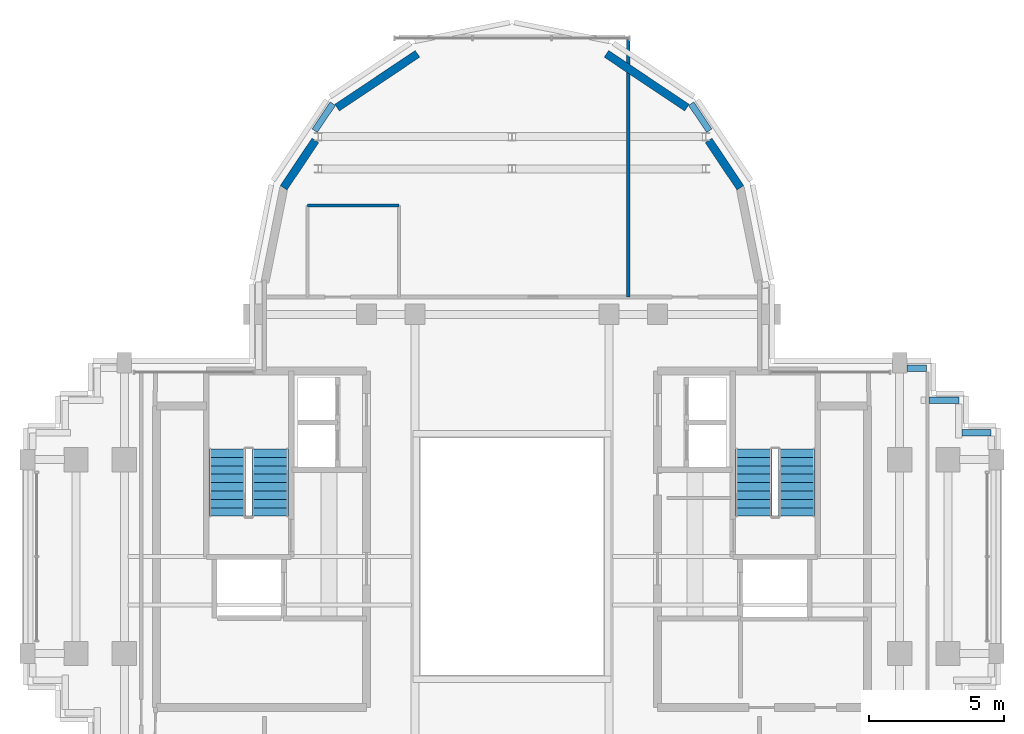
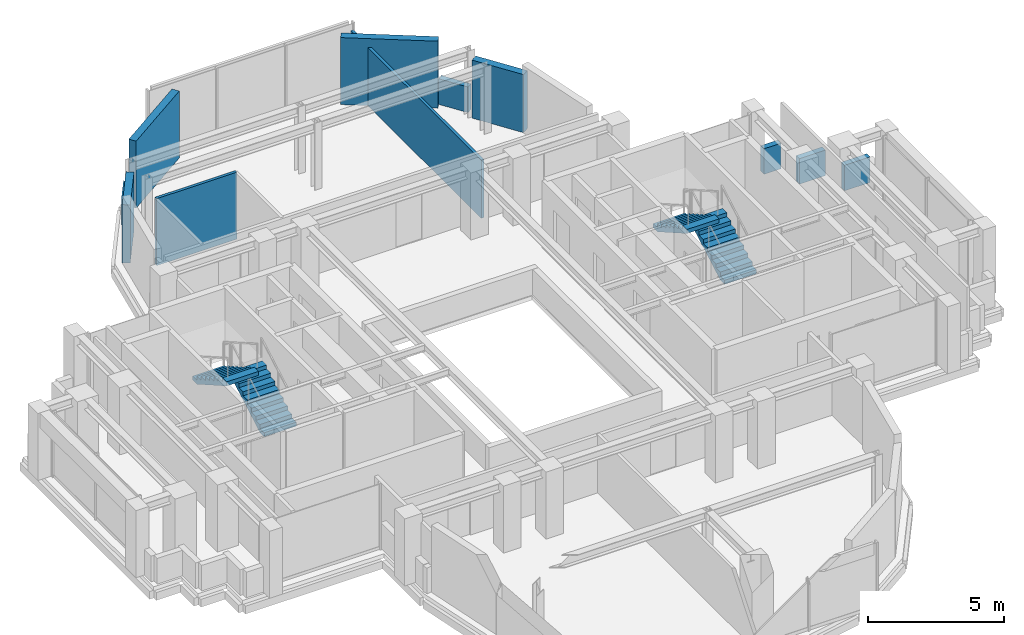
# One storey, part 10 of 12: 11 walls, 4 stair flights, 2 elements without a shape of their own.
"""IFC4 building model written with IfcOpenShell, lengths in metres."""

import ifcopenshell
import ifcopenshell.guid

model = None  # the IFC model being written
_history = None  # IfcOwnerHistory: only IFC2X3 demands one
_inside = {}  # id of a spatial element -> (the spatial element, [elements in it])
_under = {}  # id of a project, library or spatial element -> (it, [spatial elements below it])
_declared = {}  # id of a project -> (the project, [libraries it declares])
_typed = {}  # id of a type object -> (the type object, [elements of that type])
_made_of = {}  # id of a material, layer set ... -> (it, [elements and type objects made of it])


def new_model(schema):
    """Start an empty IFC model of exactly this schema.

    Asked for "IFC4X3", IfcOpenShell would pick the latest addendum, in which some entities
    have other attributes; the version numbers below select the first issue.
    IFC2X3 requires an IfcOwnerHistory on every rooted entity: one is made here for all.
    """
    global model, _history
    if schema == "IFC4X3":
        model = ifcopenshell.file(schema_version=(4, 3, 0, 0))
    else:
        model = ifcopenshell.file(schema=schema)
    _inside.clear()
    _under.clear()
    _declared.clear()
    _typed.clear()
    _made_of.clear()
    _history = None
    if model.schema == "IFC2X3":
        org = make("IfcOrganization", Name="unknown")
        user = make(
            "IfcPersonAndOrganization",
            ThePerson=make("IfcPerson", FamilyName="unknown"),
            TheOrganization=org,
        )
        app = make(
            "IfcApplication",
            ApplicationDeveloper=org,
            Version="unknown",
            ApplicationFullName="unknown",
            ApplicationIdentifier="unknown",
        )
        _history = make(
            "IfcOwnerHistory",
            OwningUser=user,
            OwningApplication=app,
            ChangeAction="ADDED",
            CreationDate=0,
        )
    return model


def make(cls, **values):
    """One entity of the class cls with the attributes given. An attribute that is None is left unset."""
    return model.create_entity(
        cls, **{name: value for name, value in values.items() if value is not None}
    )


def rooted(cls, **values):
    """An entity with a GlobalId (a new one), such as an element, a storey or a relation."""
    return make(cls, GlobalId=ifcopenshell.guid.new(), OwnerHistory=_history, **values)


def si_unit(unit_type, name, prefix=None):
    """IfcSIUnit, for example si_unit("LENGTHUNIT", "METRE", prefix="MILLI")."""
    return make("IfcSIUnit", UnitType=unit_type, Prefix=prefix, Name=name)


def assignment(units):
    """IfcUnitAssignment: the units of a project."""
    return None if units is None else make("IfcUnitAssignment", Units=units)


def point(xyz):
    """IfcCartesianPoint."""
    return None if xyz is None else make("IfcCartesianPoint", Coordinates=xyz)


def direction(xyz):
    """IfcDirection."""
    return None if xyz is None else make("IfcDirection", DirectionRatios=xyz)


def frame(location, z_axis=None, x_axis=None):
    """IfcAxis2Placement3D, a coordinate frame: its origin and axes. An axis left out is left unset."""
    return make(
        "IfcAxis2Placement3D",
        Location=point(location),
        Axis=direction(z_axis),
        RefDirection=direction(x_axis),
    )


def frame_2d(location, x_axis=None):
    """IfcAxis2Placement2D, a coordinate frame in the plane: its origin and x axis."""
    return make(
        "IfcAxis2Placement2D", Location=point(location), RefDirection=direction(x_axis)
    )


def origin():
    """The frame at (0, 0, 0) with its axes left unset."""
    return frame((0.0, 0.0, 0.0))


def place(relative_to, where):
    """IfcLocalPlacement: puts the frame where relative to a parent placement (None: the world)."""
    return make(
        "IfcLocalPlacement", PlacementRelTo=relative_to, RelativePlacement=where
    )


def context(
    kind, dimensions, precision=None, world=None, true_north=None, identifier=None
):
    """IfcGeometricRepresentationContext, for example the 3D "Model" context."""
    return make(
        "IfcGeometricRepresentationContext",
        ContextIdentifier=identifier,
        ContextType=kind,
        CoordinateSpaceDimension=dimensions,
        Precision=precision,
        WorldCoordinateSystem=world,
        TrueNorth=true_north,
    )


def subcontext(parent, identifier, kind, view, scale=None):
    """IfcGeometricRepresentationSubContext, for example "Body" below "Model"."""
    return make(
        "IfcGeometricRepresentationSubContext",
        ContextIdentifier=identifier,
        ContextType=kind,
        ParentContext=parent,
        TargetScale=scale,
        TargetView=view,
    )


def project(units=None, contexts=None):
    """IfcProject with its units and contexts."""
    return rooted(
        "IfcProject",
        Name="project",
        RepresentationContexts=contexts,
        UnitsInContext=assignment(units),
    )


def spatial(cls, under=None, at=None, **own):
    """A site, building, storey or space (cls), placed at a placement, below another one or the project."""
    s = rooted(cls, ObjectPlacement=at, **own)
    if under is not None:
        _under.setdefault(under.id(), (under, []))[1].append(s)
    return s


def polyline(points):
    """IfcPolyline through the points."""
    return make("IfcPolyline", Points=[point(p) for p in points])


def profile(cls, at=None, kind="AREA", **sizes):
    """A parametric profile (cls). Its sizes go by their IFC names, for example OverallWidth=200.0."""
    return make(cls, ProfileType=kind, Position=at, **sizes)


def rectangle(**sizes):
    """IfcRectangleProfileDef."""
    return profile("IfcRectangleProfileDef", **sizes)


def outline(outer, holes=None, kind="AREA"):
    """IfcArbitraryClosedProfileDef: a profile drawn as a closed curve; with holes, ...WithVoids."""
    if holes is None:
        return make("IfcArbitraryClosedProfileDef", ProfileType=kind, OuterCurve=outer)
    return make(
        "IfcArbitraryProfileDefWithVoids",
        ProfileType=kind,
        OuterCurve=outer,
        InnerCurves=holes,
    )


def extrude(swept, where, along, depth):
    """IfcExtrudedAreaSolid: the profile swept, set in the frame where, extruded along a direction by depth."""
    return make(
        "IfcExtrudedAreaSolid",
        SweptArea=swept,
        Position=where,
        ExtrudedDirection=direction(along),
        Depth=depth,
    )


def shape(context_of_items, identifier, shape_type, items):
    """IfcShapeRepresentation: the items that make up one representation, for example the "Body"."""
    return make(
        "IfcShapeRepresentation",
        ContextOfItems=context_of_items,
        RepresentationIdentifier=identifier,
        RepresentationType=shape_type,
        Items=items,
    )


def material(Name=None, Category=None):
    """IfcMaterial."""
    return make("IfcMaterial", Name=Name, Category=Category)


def layer(
    of_material, thickness, ventilated=None, Name=None, Category=None, Priority=None
):
    """IfcMaterialLayer: one layer of a wall or slab, of a material (None: an air gap)."""
    return make(
        "IfcMaterialLayer",
        Material=of_material,
        LayerThickness=thickness,
        IsVentilated=ventilated,
        Name=Name,
        Category=Category,
        Priority=Priority,
    )


def layer_set(layers, Name=None):
    """IfcMaterialLayerSet."""
    return make("IfcMaterialLayerSet", MaterialLayers=layers, LayerSetName=Name)


def made_of(thing, what):
    """Note that an element or type object is made of a material, layer set ...; save() writes the relation."""
    if what is not None:
        _made_of.setdefault(what.id(), (what, []))[1].append(thing)
    return thing


def type_object(cls, material=None, **own):
    """A type object (cls), such as IfcWallType, which elements share."""
    return made_of(rooted(cls, **own), material)


def element(
    cls,
    number,
    at=None,
    inside=None,
    cuts=None,
    type_object=None,
    material=None,
    context=None,
    identifier="Body",
    shape_type=None,
    held_by="IfcProductDefinitionShape",
    body=None,
    shapes=None,
    **own,
):
    """One element of the class cls, such as IfcWall. Its Tag is "e" and its number.

    at: its placement. inside: the storey or other place that contains it. cuts: it is an
    opening in that element (IfcRelVoidsElement). A single representation is given by context,
    identifier, shape_type and body (its items); several are given by shapes. held_by: the class
    of the entity that holds the representations. save() writes the other relations.
    """
    e = rooted(cls, Tag="e%d" % number, ObjectPlacement=at, **own)
    if body is not None:
        shapes = [shape(context, identifier, shape_type, body)]
    if shapes is not None:
        e.Representation = make(held_by, Representations=shapes)
    if inside is not None:
        _inside.setdefault(inside.id(), (inside, []))[1].append(e)
    if cuts is not None:
        rooted(
            "IfcRelVoidsElement", RelatingBuildingElement=cuts, RelatedOpeningElement=e
        )
    if type_object is not None:
        _typed.setdefault(type_object.id(), (type_object, []))[1].append(e)
    return made_of(e, material)


def aggregate(whole, parts):
    """IfcRelAggregates: a whole, such as a stair, and the parts it consists of."""
    return rooted("IfcRelAggregates", RelatingObject=whole, RelatedObjects=parts)


def save(model, path):
    """Write the relations noted so far, then the file.

    IfcRelAggregates (storeys below a building ...), IfcRelContainedInSpatialStructure (elements
    in a storey), IfcRelDefinesByType, IfcRelAssociatesMaterial and IfcRelDeclares: one each for
    every whole, place, type object, material and project.
    """
    for whole, parts in _under.values():
        aggregate(whole, parts)
    for where, things in _inside.values():
        rooted(
            "IfcRelContainedInSpatialStructure",
            RelatedElements=things,
            RelatingStructure=where,
        )
    for kind, things in _typed.values():
        rooted("IfcRelDefinesByType", RelatedObjects=things, RelatingType=kind)
    for what, things in _made_of.values():
        rooted("IfcRelAssociatesMaterial", RelatedObjects=things, RelatingMaterial=what)
    for by, libraries in _declared.values():
        rooted("IfcRelDeclares", RelatingContext=by, RelatedDefinitions=libraries)
    model.write(path)


model = new_model("IFC4")

# Units and contexts
model_context = context("Model", 3, precision=1e-05, world=origin(), true_north=direction((0.0, 1.0)))
body_context = subcontext(model_context, "Body", "Model", "MODEL_VIEW")
ifc_project = project(units=[si_unit("LENGTHUNIT", "METRE"), si_unit("AREAUNIT", "SQUARE_METRE"), si_unit("VOLUMEUNIT", "CUBIC_METRE"), si_unit("PLANEANGLEUNIT", "RADIAN"), si_unit("MASSUNIT", "GRAM", prefix="KILO")], contexts=[model_context])

# Site, building, storey
site_placement = place(None, origin())
site = spatial("IfcSite", under=ifc_project, at=site_placement, CompositionType="ELEMENT")
building_placement = place(site_placement, origin())
building = spatial("IfcBuilding", under=site, at=building_placement, Name="Keilestroom Media Tower", CompositionType="ELEMENT")
storey_placement = place(building_placement, frame((0.0, 0.0, 236.39990234375)))
storey = spatial("IfcBuildingStorey", under=building, at=storey_placement, Name="L65", CompositionType="ELEMENT", Elevation=236.39990234375)

# Walls
ifc_material_1 = material(Name="Precast concrete C40/50", Category="concrete")
ifc_layer_1 = layer(ifc_material_1, 0.300048828125)
ifc_layer_set_1 = layer_set([ifc_layer_1], Name="Precast concrete C40/50")
wall_type_1 = type_object("IfcWallType", Name="Exterior-Masonry-Spandrel-Wall-300", PredefinedType="SOLIDWALL", material=ifc_layer_set_1)
wall_1_placement = place(storey_placement, frame((8.48193359375, 13.697509765625, 0.0), z_axis=(0.0, 0.0, 1.0), x_axis=(-0.555604299396, 0.831446848868, 0.0)))
element("IfcWall", 1, at=wall_1_placement, inside=storey, type_object=wall_type_1, Name="L65 Lobe Facet Precast Frame Wall 02", PredefinedType="SOLIDWALL", context=body_context, shape_type="SweptSolid", body=[
    extrude(rectangle(XDim=2.117919921875, YDim=0.300048828125, at=frame_2d((1.05908203125, 0.0))), origin(), (0.0, 0.0, 1.0), 2.610107421875),
])
for number, where, z_axis, x_axis, name in (
    (2, (6.497802734375, 16.677001953125, 0.0), (0.0, 0.0, 1.0), (-0.831443568068, 0.555609208993, 0.0), "L65 Lobe Facet Precast Frame Wall 03"),
    (3, (-3.510009765625, 18.673583984375, 0.0), (0.0, 0.0, 1.0), (-0.831443568068, -0.555609208993, 0.0), "L65 Lobe Facet Precast Frame Wall 04"),
):
    element("IfcWall", number, at=place(storey_placement, frame(where, z_axis=z_axis, x_axis=x_axis)), inside=storey, type_object=wall_type_1, Name=name, PredefinedType="SOLIDWALL", context=body_context, shape_type="SweptSolid", body=[
        extrude(rectangle(XDim=3.593505859375, YDim=0.300048828125, at=frame_2d((1.796875, 0.0))), origin(), (0.0, 0.0, 1.0), 3.010009765625),
    ])
wall_2_placement = place(storey_placement, frame((-7.30517578125, 15.45849609375, 0.0), z_axis=(0.0, 0.0, 1.0), x_axis=(-0.555604299396, -0.831446848868, 0.0)))
element("IfcWall", 4, at=wall_2_placement, inside=storey, type_object=wall_type_1, Name="L65 Lobe Facet Precast Frame Wall 05", PredefinedType="SOLIDWALL", context=body_context, shape_type="SweptSolid", body=[
    extrude(rectangle(XDim=2.117919921875, YDim=0.300048828125, at=frame_2d((1.05908203125, 0.0))), origin(), (0.0, 0.0, 1.0), 2.610107421875),
])
ifc_material_2 = material(Name="Gypsum Plasterboard & Steel Stud", Category="steel")
ifc_layer_2 = layer(ifc_material_2, 0.1201171875)
ifc_layer_set_2 = layer_set([ifc_layer_2], Name="Gypsum Plasterboard & Steel Stud")
wall_type_2 = type_object("IfcWallType", Name="Interior-Partition-Wall-120", PredefinedType="PARTITIONING", material=ifc_layer_set_2)
wall_3_placement = place(storey_placement, frame((4.320068359375, 9.639892578125, 0.0), z_axis=(0.0, 0.0, 1.0), x_axis=(0.0, 1.0, 0.0)))
element("IfcWall", 5, at=wall_3_placement, inside=storey, type_object=wall_type_2, Name="L65 Interior Wall WP-L65-NL-V1", PredefinedType="PARTITIONING", context=body_context, shape_type="SweptSolid", body=[
    extrude(rectangle(XDim=9.610107421875, YDim=0.1201171875, at=frame_2d((4.80517578125, 0.0))), origin(), (0.0, 0.0, 1.0), 2.610107421875),
])
wall_4_placement = place(storey_placement, frame((-7.60009765625, 13.0400390625, 0.0), z_axis=(0.0, 0.0, 1.0), x_axis=(1.0, 0.0, 0.0)))
element("IfcWall", 6, at=wall_4_placement, inside=storey, type_object=wall_type_2, Name="L65 Interior Wall WP-L65-NL-WC-N", PredefinedType="PARTITIONING", context=body_context, shape_type="SweptSolid", body=[
    extrude(rectangle(XDim=3.400146484375, YDim=0.1201171875, at=frame_2d((1.7001953125, 0.0))), origin(), (0.0, 0.0, 1.0), 3.010009765625),
])
ifc_layer_3 = layer(ifc_material_1, 0.239990234375)
ifc_layer_set_3 = layer_set([ifc_layer_3], Name="Precast concrete C40/50")
wall_type_3 = type_object("IfcWallType", Name="Roof-And-Terrace-Parapet-Wall-240", PredefinedType="PARAPET", material=ifc_layer_set_3)
for number, where, z_axis, x_axis, name in (
    (7, (-7.328125, 15.8203125, 0.0), (0.0, 0.0, 1.0), (0.555585388542, 0.831459485506, 0.0), "L65 Perimeter Edge Parapet Wall 27"),
    (8, (6.656494140625, 16.825439453125, 0.0), (0.0, 0.0, 1.0), (0.555585388542, -0.831459485506, 0.0), "L65 Perimeter Edge Parapet Wall 28"),
):
    element("IfcWall", number, at=place(storey_placement, frame(where, z_axis=z_axis, x_axis=x_axis)), inside=storey, type_object=wall_type_3, Name=name, PredefinedType="PARAPET", context=body_context, shape_type="SweptSolid", body=[
        extrude(rectangle(XDim=1.208984375, YDim=0.239990234375, at=frame_2d((0.6044921875, 0.0))), origin(), (0.0, 0.0, 1.0), 1.150146484375),
    ])
wall_5_placement = place(storey_placement, frame((14.677978515625, 7.0, 0.0), z_axis=(0.0, 0.0, 1.0), x_axis=(1.0, 0.0, 0.0)))
element("IfcWall", 9, at=wall_5_placement, inside=storey, type_object=wall_type_3, Name="L65 Perimeter Edge Parapet Wall 32", PredefinedType="PARAPET", context=body_context, shape_type="SweptSolid", body=[
    extrude(rectangle(XDim=0.721923828125, YDim=0.239990234375, at=frame_2d((0.36083984375, 0.0))), origin(), (0.0, 0.0, 1.0), 1.150146484375),
])
wall_6_placement = place(storey_placement, frame((15.492919921875, 5.800048828125, 0.0), z_axis=(0.0, 0.0, 1.0), x_axis=(1.0, 0.0, 0.0)))
element("IfcWall", 10, at=wall_6_placement, inside=storey, type_object=wall_type_3, Name="L65 Perimeter Edge Parapet Wall 34", PredefinedType="PARAPET", context=body_context, shape_type="SweptSolid", body=[
    extrude(rectangle(XDim=1.107177734375, YDim=0.239990234375, at=frame_2d((0.5537109375, 0.0))), origin(), (0.0, 0.0, 1.0), 1.150146484375),
])
wall_7_placement = place(storey_placement, frame((16.722900390625, 4.60009765625, 0.0), z_axis=(0.0, 0.0, 1.0), x_axis=(1.0, 0.0, 0.0)))
element("IfcWall", 11, at=wall_7_placement, inside=storey, type_object=wall_type_3, Name="L65 Perimeter Edge Parapet Wall 36", PredefinedType="PARAPET", context=body_context, shape_type="SweptSolid", body=[
    extrude(rectangle(XDim=1.0771484375, YDim=0.239990234375, at=frame_2d((0.53857421875, 0.0))), origin(), (0.0, 0.0, 1.0), 1.150146484375),
])

# Stair, stair flights
ifc_material_3 = material(Name="Concrete C45/55", Category="concrete")
stair_type = type_object("IfcStairType", Name="Enclosed-Dog-Leg-Stair-ST-CORE", PredefinedType="HALF_TURN_STAIR", material=ifc_material_3)
stair_1_placement = place(storey_placement, origin())
stair_1 = element("IfcStair", 12, at=stair_1_placement, inside=storey, type_object=stair_type, Name="L65 West Core Escape Stair ST-1", PredefinedType="HALF_TURN_STAIR")
stair_flight_type = type_object("IfcStairFlightType", Name="Precast-Concrete-Stair-Flight-Core-160", PredefinedType="STRAIGHT", material=ifc_material_1)
stair_flight_1_placement = place(storey_placement, frame((-8.97998046875, 1.5, 0.0), z_axis=(0.0, 0.0, 1.0), x_axis=(0.0, 1.0, 0.0)))
stair_flight_1 = element("IfcStairFlight", 13, at=stair_flight_1_placement, type_object=stair_flight_type, Name="ST-1 flight 1", NumberOfRisers=9, NumberOfTreads=8, PredefinedType="STRAIGHT", RiserHeight=0.177777778, TreadLength=0.312, context=body_context, shape_type="SweptSolid", body=[
    extrude(outline(polyline([(0.0, 0.0), (0.0, 0.177734375), (0.31201171875, 0.177734375), (0.31201171875, 0.35546875), (0.6240234375, 0.35546875), (0.6240234375, 0.533447265625), (0.93603515625, 0.533447265625), (0.93603515625, 0.711181640625), (1.248046875, 0.711181640625), (1.248046875, 0.888916015625), (1.56005859375, 0.888916015625), (1.56005859375, 1.066650390625), (1.8720703125, 1.066650390625), (1.8720703125, 1.244384765625), (2.18408203125, 1.244384765625), (2.18408203125, 1.422119140625), (2.49609375, 1.422119140625), (2.49609375, 1.60009765625), (2.49609375, 1.23828125), (0.322998046875, 0.0), (0.0, 0.0)])), frame((0.0, 0.68017578125, 0.0), z_axis=(0.0, -1.0, 0.0), x_axis=(1.0, 0.0, 0.0)), (0.0, 0.0, 1.0), 1.360107421875),
])
stair_flight_2_placement = place(storey_placement, frame((-10.580078125, 3.99609375, 1.60009765625), z_axis=(0.0, 0.0, 1.0), x_axis=(0.0, -1.0, 0.0)))
stair_flight_2 = element("IfcStairFlight", 14, at=stair_flight_2_placement, type_object=stair_flight_type, Name="ST-1 flight 2", NumberOfRisers=9, NumberOfTreads=8, PredefinedType="STRAIGHT", RiserHeight=0.177777778, TreadLength=0.312, context=body_context, shape_type="SweptSolid", body=[
    extrude(outline(polyline([(0.0, 0.0), (0.0, 0.177734375), (0.31201171875, 0.177734375), (0.31201171875, 0.35546875), (0.6240234375, 0.35546875), (0.6240234375, 0.533447265625), (0.93603515625, 0.533447265625), (0.93603515625, 0.711181640625), (1.248046875, 0.711181640625), (1.248046875, 0.888916015625), (1.56005859375, 0.888916015625), (1.56005859375, 1.066650390625), (1.8720703125, 1.066650390625), (1.8720703125, 1.244384765625), (2.18408203125, 1.244384765625), (2.18408203125, 1.422119140625), (2.49609375, 1.422119140625), (2.49609375, 1.60009765625), (2.49609375, 1.23828125), (0.322998046875, 0.0), (0.0, 0.0)])), frame((0.0, 0.68017578125, 0.0), z_axis=(0.0, -1.0, 0.0), x_axis=(1.0, 0.0, 0.0)), (0.0, 0.0, 1.0), 1.360107421875),
])
aggregate(stair_1, [stair_flight_1, stair_flight_2])

stair_2_placement = place(storey_placement, origin())
stair_2 = element("IfcStair", 15, at=stair_2_placement, inside=storey, type_object=stair_type, Name="L65 East Core Escape Stair ST-2", PredefinedType="HALF_TURN_STAIR")
stair_flight_3_placement = place(storey_placement, frame((10.580078125, 1.5, 0.0), z_axis=(0.0, 0.0, 1.0), x_axis=(0.0, 1.0, 0.0)))
stair_flight_3 = element("IfcStairFlight", 16, at=stair_flight_3_placement, type_object=stair_flight_type, Name="ST-2 flight 1", NumberOfRisers=9, NumberOfTreads=8, PredefinedType="STRAIGHT", RiserHeight=0.177777778, TreadLength=0.312, context=body_context, shape_type="SweptSolid", body=[
    extrude(outline(polyline([(0.0, 0.0), (0.0, 0.177734375), (0.31201171875, 0.177734375), (0.31201171875, 0.35546875), (0.6240234375, 0.35546875), (0.6240234375, 0.533447265625), (0.93603515625, 0.533447265625), (0.93603515625, 0.711181640625), (1.248046875, 0.711181640625), (1.248046875, 0.888916015625), (1.56005859375, 0.888916015625), (1.56005859375, 1.066650390625), (1.8720703125, 1.066650390625), (1.8720703125, 1.244384765625), (2.18408203125, 1.244384765625), (2.18408203125, 1.422119140625), (2.49609375, 1.422119140625), (2.49609375, 1.60009765625), (2.49609375, 1.23828125), (0.322998046875, 0.0), (0.0, 0.0)])), frame((0.0, 0.68017578125, 0.0), z_axis=(0.0, -1.0, 0.0), x_axis=(1.0, 0.0, 0.0)), (0.0, 0.0, 1.0), 1.360107421875),
])
stair_flight_4_placement = place(storey_placement, frame((8.97998046875, 3.99609375, 1.60009765625), z_axis=(0.0, 0.0, 1.0), x_axis=(0.0, -1.0, 0.0)))
stair_flight_4 = element("IfcStairFlight", 17, at=stair_flight_4_placement, type_object=stair_flight_type, Name="ST-2 flight 2", NumberOfRisers=9, NumberOfTreads=8, PredefinedType="STRAIGHT", RiserHeight=0.177777778, TreadLength=0.312, context=body_context, shape_type="SweptSolid", body=[
    extrude(outline(polyline([(0.0, 0.0), (0.0, 0.177734375), (0.31201171875, 0.177734375), (0.31201171875, 0.35546875), (0.6240234375, 0.35546875), (0.6240234375, 0.533447265625), (0.93603515625, 0.533447265625), (0.93603515625, 0.711181640625), (1.248046875, 0.711181640625), (1.248046875, 0.888916015625), (1.56005859375, 0.888916015625), (1.56005859375, 1.066650390625), (1.8720703125, 1.066650390625), (1.8720703125, 1.244384765625), (2.18408203125, 1.244384765625), (2.18408203125, 1.422119140625), (2.49609375, 1.422119140625), (2.49609375, 1.60009765625), (2.49609375, 1.23828125), (0.322998046875, 0.0), (0.0, 0.0)])), frame((0.0, 0.68017578125, 0.0), z_axis=(0.0, -1.0, 0.0), x_axis=(1.0, 0.0, 0.0)), (0.0, 0.0, 1.0), 1.360107421875),
])
aggregate(stair_2, [stair_flight_3, stair_flight_4])

save(model, "model.ifc")
